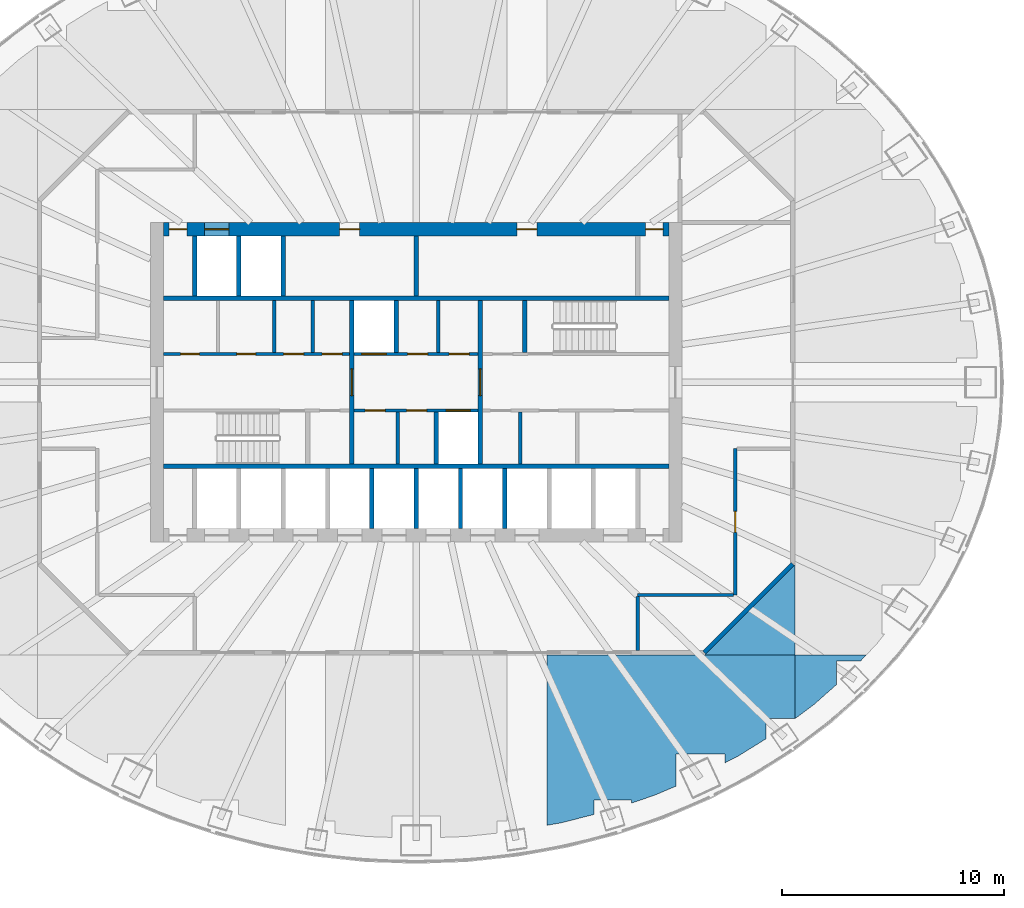
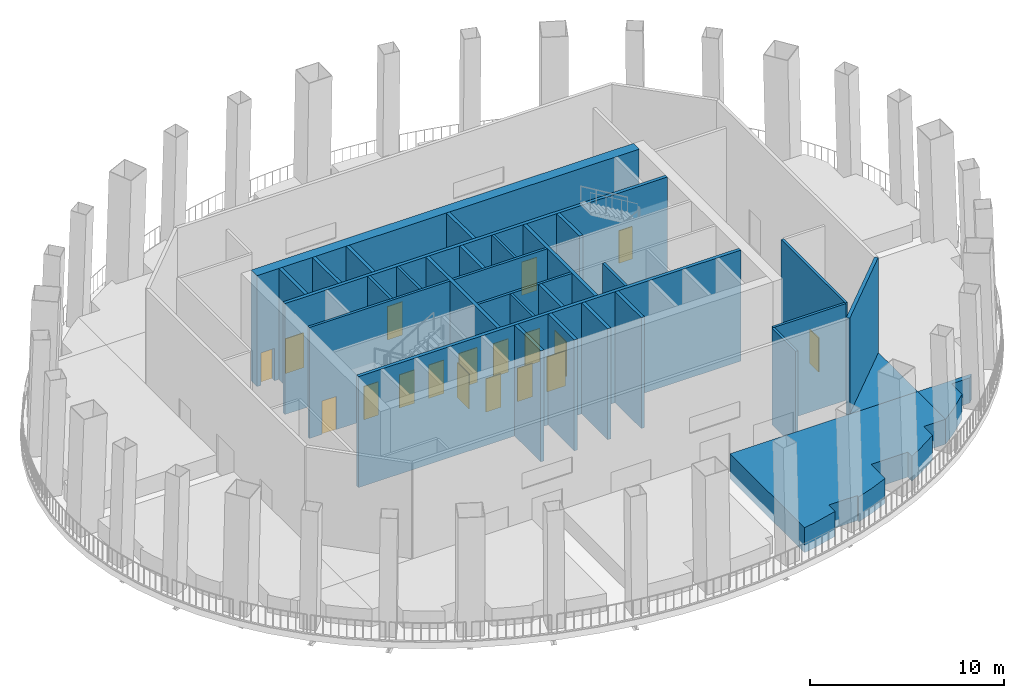
# One storey, part 5 of 13: 31 walls, 18 doors, 18 openings.
"""IFC4 building model written with IfcOpenShell, lengths in metres."""

from ifc_helpers import new_model, si_unit, direction, frame, frame_2d, origin, place, context, subcontext, project, spatial, polyline, rectangle, outline, extrude, material, layer, layer_set, type_object, element, fill, save


model = new_model("IFC4")

# Units and contexts
model_context = context("Model", 3, precision=1e-05, world=origin(), true_north=direction((0.0, 1.0)))
body_context = subcontext(model_context, "Body", "Model", "MODEL_VIEW")
ifc_project = project(units=[si_unit("LENGTHUNIT", "METRE"), si_unit("AREAUNIT", "SQUARE_METRE"), si_unit("VOLUMEUNIT", "CUBIC_METRE"), si_unit("PLANEANGLEUNIT", "RADIAN"), si_unit("MASSUNIT", "GRAM", prefix="KILO")], contexts=[model_context])

# Site, building, storey
site_placement = place(None, origin())
site = spatial("IfcSite", under=ifc_project, at=site_placement, CompositionType="ELEMENT")
building_placement = place(site_placement, origin())
building = spatial("IfcBuilding", under=site, at=building_placement, Name="Siaravel Broadcast Tower", CompositionType="ELEMENT")
storey_placement = place(building_placement, frame((0.0, 0.0, 85.199951171875)))
storey = spatial("IfcBuildingStorey", under=building, at=storey_placement, Name="L20", CompositionType="ELEMENT", Elevation=85.199951171875)

# Walls
ifc_material_1 = material(Name="Concrete blockwork", Category="masonry")
ifc_layer_1 = layer(ifc_material_1, 0.14990234375)
ifc_layer_set_1 = layer_set([ifc_layer_1], Name="Concrete blockwork")
wall_type_1 = type_object("IfcWallType", Name="Core partition 150", PredefinedType="PARTITIONING", material=ifc_layer_set_1)
for number, where, z_axis, x_axis, name in (
    (1, (-6.405029296875, 1.35009765625, 0.0), (0.0, 0.0, 1.0), (0.0, 1.0, 0.0), "L20 core partition PNW1"),
    (2, (-4.6650390625, 1.35009765625, 0.0), (0.0, 0.0, 1.0), (0.0, 1.0, 0.0), "L20 core partition PNW2"),
    (3, (4.695068359375, -3.699951171875, 0.0), (0.0, 0.0, 1.0), (0.0, 1.0, 0.0), "L20 core partition PSE0"),
    (4, (1.0, 1.35009765625, 0.0), (0.0, 0.0, 1.0), (0.0, 1.0, 0.0), "L20 core partition PNM0"),
    (5, (-0.827392578125, -3.699951171875, 0.0), (0.0, 0.0, 1.0), (0.0, 1.0, 0.0), "L20 core partition PSM0"),
):
    element("IfcWall", number, at=place(storey_placement, frame(where, z_axis=z_axis, x_axis=x_axis)), inside=storey, type_object=wall_type_1, Name=name, PredefinedType="PARTITIONING", context=body_context, shape_type="SweptSolid", body=[
        extrude(rectangle(XDim=2.349853515625, YDim=0.14990234375, at=frame_2d((1.1748046875, 0.0))), origin(), (0.0, 0.0, 1.0), 7.0),
    ])
ifc_layer_2 = layer(ifc_material_1, 0.199951171875)
ifc_layer_set_2 = layer_set([ifc_layer_2], Name="Concrete blockwork")
wall_type_2 = type_object("IfcWallType", Name="Core partition 200", PredefinedType="PARTITIONING", material=ifc_layer_set_2)
wall_1_placement = place(storey_placement, frame((0.0, 3.89990234375, 0.0), z_axis=(0.0, 0.0, 1.0), x_axis=(0.0, 1.0, 0.0)))
element("IfcWall", 6, at=wall_1_placement, inside=storey, type_object=wall_type_2, Name="L20 core partition PFN2", PredefinedType="PARTITIONING", context=body_context, shape_type="SweptSolid", body=[
    extrude(rectangle(XDim=2.7001953125, YDim=0.199951171875, at=frame_2d((1.35009765625, 0.0))), origin(), (0.0, 0.0, 1.0), 7.0),
])

# Wall, openings, doors
ifc_material_2 = material(Name="Concrete C60/75", Category="concrete")
ifc_layer_3 = layer(ifc_material_2, 0.60009765625)
ifc_layer_set_3 = layer_set([ifc_layer_3], Name="Concrete C60/75")
wall_type_3 = type_object("IfcWallType", Name="Core wall 600", PredefinedType="SHEAR", material=ifc_layer_set_3)
wall_2_placement = place(storey_placement, frame((-11.39990234375, 6.89990234375, 0.0), z_axis=(0.0, 0.0, 1.0), x_axis=(1.0, 0.0, 0.0)))
wall_2 = element("IfcWall", 7, at=wall_2_placement, inside=storey, type_object=wall_type_3, Name="L20 core wall ON", PredefinedType="SHEAR", context=body_context, shape_type="SweptSolid", body=[
    extrude(rectangle(XDim=22.7998046875, YDim=0.60009765625, at=frame_2d((11.39990234375, 0.0))), origin(), (0.0, 0.0, 1.0), 7.0),
])
opening_1_placement = place(wall_2_placement, frame((1.85009765625, 0.0, 0.0)))
opening_1 = element("IfcOpeningElement", 8, at=opening_1_placement, cuts=wall_2, Name="Opening LD-SV2-L20", PredefinedType="OPENING", context=body_context, shape_type="SweptSolid", body=[
    extrude(rectangle(XDim=1.10009765625, YDim=2.199951171875, at=frame_2d((0.550048828125, 1.10009765625))), frame((0.0, 0.31005859375, 0.0), z_axis=(0.0, -1.0, 0.0), x_axis=(1.0, 0.0, 0.0)), (0.0, 0.0, 1.0), 0.6201171875),
])
opening_2_placement = place(wall_2_placement, frame((7.949951171875, 0.0, 0.0)))
opening_2 = element("IfcOpeningElement", 9, at=opening_2_placement, cuts=wall_2, Name="Opening L20-DFN2", PredefinedType="OPENING", context=body_context, shape_type="SweptSolid", body=[
    extrude(rectangle(XDim=0.89990234375, YDim=2.10009765625, at=frame_2d((0.449951171875, 1.050048828125))), frame((0.0, 0.31005859375, 0.0), z_axis=(0.0, -1.0, 0.0), x_axis=(1.0, 0.0, 0.0)), (0.0, 0.0, 1.0), 0.6201171875),
])
opening_3_placement = place(wall_2_placement, frame((15.949951171875, 0.0, 0.0)))
opening_3 = element("IfcOpeningElement", 10, at=opening_3_placement, cuts=wall_2, Name="Opening L20-DFN5", PredefinedType="OPENING", context=body_context, shape_type="SweptSolid", body=[
    extrude(rectangle(XDim=0.89990234375, YDim=2.10009765625, at=frame_2d((0.449951171875, 1.050048828125))), frame((0.0, 0.31005859375, 0.0), z_axis=(0.0, -1.0, 0.0), x_axis=(1.0, 0.0, 0.0)), (0.0, 0.0, 1.0), 0.6201171875),
])
opening_4_placement = place(wall_2_placement, frame((0.25, 0.0, 0.0)))
opening_4 = element("IfcOpeningElement", 11, at=opening_4_placement, cuts=wall_2, Name="Opening L20-DRNW", PredefinedType="OPENING", context=body_context, shape_type="SweptSolid", body=[
    extrude(rectangle(XDim=0.800048828125, YDim=2.050048828125, at=frame_2d((0.39990234375, 1.02490234375))), frame((0.0, 0.31005859375, 0.0), z_axis=(0.0, -1.0, 0.0), x_axis=(1.0, 0.0, 0.0)), (0.0, 0.0, 1.0), 0.6201171875),
])
opening_5_placement = place(wall_2_placement, frame((21.75, 0.0, 0.0)))
opening_5 = element("IfcOpeningElement", 12, at=opening_5_placement, cuts=wall_2, Name="Opening L20-DRNE", PredefinedType="OPENING", context=body_context, shape_type="SweptSolid", body=[
    extrude(rectangle(XDim=0.800048828125, YDim=2.050048828125, at=frame_2d((0.39990234375, 1.02490234375))), frame((0.0, 0.31005859375, 0.0), z_axis=(0.0, -1.0, 0.0), x_axis=(1.0, 0.0, 0.0)), (0.0, 0.0, 1.0), 0.6201171875),
])
ifc_material_3 = material(Name="Timber veneer", Category="wood")
door_type_1 = type_object("IfcDoorType", Name="Core room door 900", OperationType="SINGLE_SWING_LEFT", PredefinedType="DOOR", material=ifc_material_3)
door_1_placement = place(opening_2_placement, origin())
door_1 = element("IfcDoor", 13, at=door_1_placement, inside=storey, type_object=door_type_1, Name="L20 door DFN2", OperationType="SINGLE_SWING_LEFT", OverallHeight=2.10009765625, OverallWidth=0.89990234375, PredefinedType="DOOR", context=body_context, shape_type="SweptSolid", body=[
    extrude(rectangle(XDim=0.89990234375, YDim=2.10009765625, at=frame_2d((0.449951171875, 1.050048828125))), frame((0.0, 0.02490234375, 0.0), z_axis=(0.0, -1.0, 0.0), x_axis=(1.0, 0.0, 0.0)), (0.0, 0.0, 1.0), 0.050048828125),
])
fill(opening_2, door_1)
door_2_placement = place(opening_3_placement, origin())
door_2 = element("IfcDoor", 14, at=door_2_placement, inside=storey, type_object=door_type_1, Name="L20 door DFN5", OperationType="SINGLE_SWING_LEFT", OverallHeight=2.10009765625, OverallWidth=0.89990234375, PredefinedType="DOOR", context=body_context, shape_type="SweptSolid", body=[
    extrude(rectangle(XDim=0.89990234375, YDim=2.10009765625, at=frame_2d((0.449951171875, 1.050048828125))), frame((0.0, 0.02490234375, 0.0), z_axis=(0.0, -1.0, 0.0), x_axis=(1.0, 0.0, 0.0)), (0.0, 0.0, 1.0), 0.050048828125),
])
fill(opening_3, door_2)
ifc_material_4 = material(Name="Steel", Category="steel")
door_type_2 = type_object("IfcDoorType", Name="Riser door 800", OperationType="SINGLE_SWING_LEFT", PredefinedType="DOOR", material=ifc_material_4)
door_3_placement = place(opening_4_placement, origin())
door_3 = element("IfcDoor", 15, at=door_3_placement, inside=storey, type_object=door_type_2, Name="L20 door DRNW", OperationType="SINGLE_SWING_LEFT", OverallHeight=2.050048828125, OverallWidth=0.800048828125, PredefinedType="DOOR", context=body_context, shape_type="SweptSolid", body=[
    extrude(rectangle(XDim=0.800048828125, YDim=2.050048828125, at=frame_2d((0.39990234375, 1.02490234375))), frame((0.0, 0.02490234375, 0.0), z_axis=(0.0, -1.0, 0.0), x_axis=(1.0, 0.0, 0.0)), (0.0, 0.0, 1.0), 0.050048828125),
])
fill(opening_4, door_3)
door_4_placement = place(opening_5_placement, origin())
door_4 = element("IfcDoor", 16, at=door_4_placement, inside=storey, type_object=door_type_2, Name="L20 door DRNE", OperationType="SINGLE_SWING_LEFT", OverallHeight=2.050048828125, OverallWidth=0.800048828125, PredefinedType="DOOR", context=body_context, shape_type="SweptSolid", body=[
    extrude(rectangle(XDim=0.800048828125, YDim=2.050048828125, at=frame_2d((0.39990234375, 1.02490234375))), frame((0.0, 0.02490234375, 0.0), z_axis=(0.0, -1.0, 0.0), x_axis=(1.0, 0.0, 0.0)), (0.0, 0.0, 1.0), 0.050048828125),
])
fill(opening_5, door_4)
ifc_material_5 = material(Name="Stainless steel 316L", Category="steel")
door_type_3 = type_object("IfcDoorType", Name="Service lift landing door 1100", OperationType="DOUBLE_DOOR_SLIDING", PredefinedType="DOOR", material=ifc_material_5)
door_5_placement = place(opening_1_placement, origin())
door_5 = element("IfcDoor", 17, at=door_5_placement, inside=storey, type_object=door_type_3, Name="Landing door SV2 L20", OperationType="DOUBLE_DOOR_SLIDING", OverallHeight=2.199951171875, OverallWidth=1.10009765625, PredefinedType="DOOR", context=body_context, shape_type="SweptSolid", body=[
    extrude(rectangle(XDim=1.10009765625, YDim=2.199951171875, at=frame_2d((0.550048828125, 1.10009765625))), frame((0.0, 0.02490234375, 0.0), z_axis=(0.0, -1.0, 0.0), x_axis=(1.0, 0.0, 0.0)), (0.0, 0.0, 1.0), 0.050048828125),
])
fill(opening_1, door_5)

ifc_material_6 = material(Name="Gypsum board partition", Category="gypsum")
ifc_layer_4 = layer(ifc_material_6, 0.14990234375)
ifc_layer_set_4 = layer_set([ifc_layer_4], Name="Gypsum board partition")
wall_type_4 = type_object("IfcWallType", Name="Corridor wall 150", PredefinedType="PARTITIONING", material=ifc_layer_set_4)
wall_3_placement = place(storey_placement, frame((-11.39990234375, 1.27490234375, 0.0), z_axis=(0.0, 0.0, 1.0), x_axis=(1.0, 0.0, 0.0)))
wall_3 = element("IfcWall", 18, at=wall_3_placement, inside=storey, type_object=wall_type_4, Name="L20 core partition CNW", PredefinedType="PARTITIONING", context=body_context, shape_type="SweptSolid", body=[
    extrude(rectangle(XDim=8.39990234375, YDim=0.14990234375, at=frame_2d((4.199951171875, 0.0))), origin(), (0.0, 0.0, 1.0), 7.0),
])
opening_6_placement = place(wall_3_placement, frame((0.767578125, 0.0, 0.0)))
opening_6 = element("IfcOpeningElement", 19, at=opening_6_placement, cuts=wall_3, Name="Opening L20-DNW0", PredefinedType="OPENING", context=body_context, shape_type="SweptSolid", body=[
    extrude(rectangle(XDim=0.85009765625, YDim=2.10009765625, at=frame_2d((0.425048828125, 1.050048828125))), frame((0.0, 0.0849609375, 0.0), z_axis=(0.0, -1.0, 0.0), x_axis=(1.0, 0.0, 0.0)), (0.0, 0.0, 1.0), 0.169921875),
])
opening_7_placement = place(wall_3_placement, frame((3.302490234375, 0.0, 0.0)))
opening_7 = element("IfcOpeningElement", 20, at=opening_7_placement, cuts=wall_3, Name="Opening L20-DNW1", PredefinedType="OPENING", context=body_context, shape_type="SweptSolid", body=[
    extrude(rectangle(XDim=0.85009765625, YDim=2.10009765625, at=frame_2d((0.425048828125, 1.050048828125))), frame((0.0, 0.0849609375, 0.0), z_axis=(0.0, -1.0, 0.0), x_axis=(1.0, 0.0, 0.0)), (0.0, 0.0, 1.0), 0.169921875),
])
opening_8_placement = place(wall_3_placement, frame((5.4150390625, 0.0, 0.0)))
opening_8 = element("IfcOpeningElement", 21, at=opening_8_placement, cuts=wall_3, Name="Opening L20-DNW2", PredefinedType="OPENING", context=body_context, shape_type="SweptSolid", body=[
    extrude(rectangle(XDim=0.89990234375, YDim=2.10009765625, at=frame_2d((0.449951171875, 1.050048828125))), frame((0.0, 0.0849609375, 0.0), z_axis=(0.0, -1.0, 0.0), x_axis=(1.0, 0.0, 0.0)), (0.0, 0.0, 1.0), 0.169921875),
])
opening_9_placement = place(wall_3_placement, frame((7.155029296875, 0.0, 0.0)))
opening_9 = element("IfcOpeningElement", 22, at=opening_9_placement, cuts=wall_3, Name="Opening L20-DNW3", PredefinedType="OPENING", context=body_context, shape_type="SweptSolid", body=[
    extrude(rectangle(XDim=0.89990234375, YDim=2.10009765625, at=frame_2d((0.449951171875, 1.050048828125))), frame((0.0, 0.0849609375, 0.0), z_axis=(0.0, -1.0, 0.0), x_axis=(1.0, 0.0, 0.0)), (0.0, 0.0, 1.0), 0.169921875),
])
door_6_placement = place(opening_8_placement, origin())
door_6 = element("IfcDoor", 23, at=door_6_placement, inside=storey, type_object=door_type_1, Name="L20 door DNW2", OperationType="SINGLE_SWING_LEFT", OverallHeight=2.10009765625, OverallWidth=0.89990234375, PredefinedType="DOOR", context=body_context, shape_type="SweptSolid", body=[
    extrude(rectangle(XDim=0.89990234375, YDim=2.10009765625, at=frame_2d((0.449951171875, 1.050048828125))), frame((0.0, 0.02490234375, 0.0), z_axis=(0.0, -1.0, 0.0), x_axis=(1.0, 0.0, 0.0)), (0.0, 0.0, 1.0), 0.050048828125),
])
fill(opening_8, door_6)
door_7_placement = place(opening_9_placement, origin())
door_7 = element("IfcDoor", 24, at=door_7_placement, inside=storey, type_object=door_type_1, Name="L20 door DNW3", OperationType="SINGLE_SWING_LEFT", OverallHeight=2.10009765625, OverallWidth=0.89990234375, PredefinedType="DOOR", context=body_context, shape_type="SweptSolid", body=[
    extrude(rectangle(XDim=0.89990234375, YDim=2.10009765625, at=frame_2d((0.449951171875, 1.050048828125))), frame((0.0, 0.02490234375, 0.0), z_axis=(0.0, -1.0, 0.0), x_axis=(1.0, 0.0, 0.0)), (0.0, 0.0, 1.0), 0.050048828125),
])
fill(opening_9, door_7)
door_type_4 = type_object("IfcDoorType", Name="Core toilet door 850", OperationType="SINGLE_SWING_LEFT", PredefinedType="DOOR", material=ifc_material_3)
door_8_placement = place(opening_6_placement, origin())
door_8 = element("IfcDoor", 25, at=door_8_placement, inside=storey, type_object=door_type_4, Name="L20 door DNW0", OperationType="SINGLE_SWING_LEFT", OverallHeight=2.10009765625, OverallWidth=0.85009765625, PredefinedType="DOOR", context=body_context, shape_type="SweptSolid", body=[
    extrude(rectangle(XDim=0.85009765625, YDim=2.10009765625, at=frame_2d((0.425048828125, 1.050048828125))), frame((0.0, 0.02490234375, 0.0), z_axis=(0.0, -1.0, 0.0), x_axis=(1.0, 0.0, 0.0)), (0.0, 0.0, 1.0), 0.050048828125),
])
fill(opening_6, door_8)
door_9_placement = place(opening_7_placement, origin())
door_9 = element("IfcDoor", 26, at=door_9_placement, inside=storey, type_object=door_type_4, Name="L20 door DNW1", OperationType="SINGLE_SWING_LEFT", OverallHeight=2.10009765625, OverallWidth=0.85009765625, PredefinedType="DOOR", context=body_context, shape_type="SweptSolid", body=[
    extrude(rectangle(XDim=0.85009765625, YDim=2.10009765625, at=frame_2d((0.425048828125, 1.050048828125))), frame((0.0, 0.02490234375, 0.0), z_axis=(0.0, -1.0, 0.0), x_axis=(1.0, 0.0, 0.0)), (0.0, 0.0, 1.0), 0.050048828125),
])
fill(opening_7, door_9)

# Wall, opening, door
wall_4_placement = place(storey_placement, frame((14.39990234375, -3.0, 0.0), z_axis=(0.0, 0.0, 1.0), x_axis=(0.0, -1.0, 0.0)))
wall_4 = element("IfcWall", 27, at=wall_4_placement, inside=storey, type_object=wall_type_4, Name="L20 partition 3", PredefinedType="PARTITIONING", context=body_context, shape_type="SweptSolid", body=[
    extrude(rectangle(XDim=6.60009765625, YDim=0.14990234375, at=frame_2d((3.300048828125, 0.0))), origin(), (0.0, 0.0, 1.0), 6.10009765625),
])
opening_10_placement = place(wall_4_placement, frame((2.824951171875, 0.0, 0.0)))
opening_10 = element("IfcOpeningElement", 28, at=opening_10_placement, cuts=wall_4, Name="Opening L20-002", PredefinedType="OPENING", context=body_context, shape_type="SweptSolid", body=[
    extrude(rectangle(XDim=0.949951171875, YDim=2.14990234375, at=frame_2d((0.47509765625, 1.074951171875))), frame((0.0, 0.0849609375, 0.0), z_axis=(0.0, -1.0, 0.0), x_axis=(1.0, 0.0, 0.0)), (0.0, 0.0, 1.0), 0.169921875),
])
door_type_5 = type_object("IfcDoorType", Name="Office door 950", OperationType="SINGLE_SWING_LEFT", PredefinedType="DOOR", material=ifc_material_3)
door_10_placement = place(opening_10_placement, origin())
door_10 = element("IfcDoor", 29, at=door_10_placement, inside=storey, type_object=door_type_5, Name="L20 door to Presenter studio", OperationType="SINGLE_SWING_RIGHT", OverallHeight=2.14990234375, OverallWidth=0.949951171875, PredefinedType="DOOR", context=body_context, shape_type="SweptSolid", body=[
    extrude(rectangle(XDim=0.949951171875, YDim=2.14990234375, at=frame_2d((0.47509765625, 1.074951171875))), frame((0.0, 0.02490234375, 0.0), z_axis=(0.0, -1.0, 0.0), x_axis=(1.0, 0.0, 0.0)), (0.0, 0.0, 1.0), 0.050048828125),
])
fill(opening_10, door_10)

# Walls
wall_5_placement = place(storey_placement, frame((14.322998046875, -9.60009765625, 0.0), z_axis=(0.0, 0.0, 1.0), x_axis=(-1.0, 0.0, 0.0)))
element("IfcWall", 30, at=wall_5_placement, inside=storey, type_object=wall_type_4, Name="L20 partition 8", PredefinedType="PARTITIONING", context=body_context, shape_type="SweptSolid", body=[
    extrude(rectangle(XDim=4.322998046875, YDim=0.14990234375, at=frame_2d((2.16162109375, 0.0))), origin(), (0.0, 0.0, 1.0), 6.10009765625),
])
wall_6_placement = place(storey_placement, frame((10.0, -9.677001953125, 0.0), z_axis=(0.0, 0.0, 1.0), x_axis=(0.0, -1.0, 0.0)))
element("IfcWall", 31, at=wall_6_placement, inside=storey, type_object=wall_type_4, Name="L20 partition 11", PredefinedType="PARTITIONING", context=body_context, shape_type="SweptSolid", body=[
    extrude(rectangle(XDim=2.423095703125, YDim=0.14990234375, at=frame_2d((1.21142578125, 0.0))), origin(), (0.0, 0.0, 1.0), 6.10009765625),
])
ifc_material_7 = material(Name="Concrete C40/50", Category="concrete")
ifc_layer_5 = layer(ifc_material_7, 1.0)
ifc_layer_set_5 = layer_set([ifc_layer_5], Name="Concrete C40/50")
wall_type_5 = type_object("IfcWallType", Name="Garden planter box", PredefinedType="ELEMENTEDWALL", material=ifc_layer_set_5)
wall_7_placement = place(storey_placement, frame((0.0, 0.0, -0.39990234375)))
element("IfcWall", 32, at=wall_7_placement, inside=storey, type_object=wall_type_5, Name="L20 garden planting bed 03", PredefinedType="ELEMENTEDWALL", context=body_context, shape_type="SweptSolid", body=[
    extrude(outline(polyline([(17.10009765625, -15.177490234375), (17.10009765625, -12.300048828125), (13.04150390625, -12.300048828125), (5.89990234375, -12.300048828125), (5.89990234375, -19.99951171875), (6.568603515625, -19.87939453125), (8.016845703125, -19.509033203125), (8.016845703125, -18.852783203125), (9.716796875, -18.852783203125), (9.716796875, -18.9912109375), (10.725830078125, -18.65234375), (11.726318359375, -18.22998046875), (11.726318359375, -16.770263671875), (13.926513671875, -16.770263671875), (13.926513671875, -17.184326171875), (14.556884765625, -16.858642578125), (15.790771484375, -16.091064453125), (15.790771484375, -15.177490234375), (17.10009765625, -15.177490234375)])), origin(), (0.0, 0.0, 1.0), 1.579833984375),
])
wall_8_placement = place(storey_placement, frame((0.0, 0.0, -0.39990234375)))
element("IfcWall", 33, at=wall_8_placement, inside=storey, type_object=wall_type_5, Name="L20 garden planting bed 05", PredefinedType="ELEMENTEDWALL", context=body_context, shape_type="SweptSolid", body=[
    extrude(outline(polyline([(20.32080078125, -12.300048828125), (17.10009765625, -12.300048828125), (17.10009765625, -15.177490234375), (17.10498046875, -15.177490234375), (17.94580078125, -14.552734375), (18.962890625, -13.652587890625), (18.962890625, -12.579345703125), (20.056396484375, -12.579345703125), (20.32080078125, -12.300048828125)])), origin(), (0.0, 0.0, 1.0), 1.579833984375),
])
wall_9_placement = place(storey_placement, frame((0.0, 0.0, -0.39990234375)))
element("IfcWall", 34, at=wall_9_placement, inside=storey, type_object=wall_type_5, Name="L20 garden planting bed 07", PredefinedType="ELEMENTEDWALL", context=body_context, shape_type="SweptSolid", body=[
    extrude(outline(polyline([(13.04150390625, -12.300048828125), (17.10009765625, -12.300048828125), (17.10009765625, -8.241455078125), (13.04150390625, -12.300048828125)])), origin(), (0.0, 0.0, 1.0), 1.579833984375),
])

# Wall, openings, doors
ifc_layer_6 = layer(ifc_material_2, 0.14990234375)
ifc_layer_set_6 = layer_set([ifc_layer_6], Name="Concrete C60/75")
wall_type_6 = type_object("IfcWallType", Name="Shaft wall 150", PredefinedType="SHEAR", material=ifc_layer_set_6)
wall_10_placement = place(storey_placement, frame((-2.800048828125, -1.27490234375, 0.0), z_axis=(0.0, 0.0, 1.0), x_axis=(1.0, 0.0, 0.0)))
wall_10 = element("IfcWall", 35, at=wall_10_placement, inside=storey, type_object=wall_type_6, Name="L20 core wall CSM", PredefinedType="SHEAR", context=body_context, shape_type="SweptSolid", body=[
    extrude(rectangle(XDim=5.60009765625, YDim=0.14990234375, at=frame_2d((2.800048828125, 0.0))), origin(), (0.0, 0.0, 1.0), 7.0),
])
opening_11_placement = place(wall_10_placement, frame((4.14990234375, 0.0, 0.0)))
opening_11 = element("IfcOpeningElement", 36, at=opening_11_placement, cuts=wall_10, Name="Opening LD-FL2-L20", PredefinedType="OPENING", context=body_context, shape_type="SweptSolid", body=[
    extrude(rectangle(XDim=1.10009765625, YDim=2.199951171875, at=frame_2d((0.550048828125, 1.10009765625))), frame((0.0, 0.0849609375, 0.0), z_axis=(0.0, -1.0, 0.0), x_axis=(1.0, 0.0, 0.0)), (0.0, 0.0, 1.0), 0.169921875),
])
opening_12_placement = place(wall_10_placement, frame((0.498779296875, 0.0, 0.0)))
opening_12 = element("IfcOpeningElement", 37, at=opening_12_placement, cuts=wall_10, Name="Opening L20-DSM0", PredefinedType="OPENING", context=body_context, shape_type="SweptSolid", body=[
    extrude(rectangle(XDim=0.89990234375, YDim=2.10009765625, at=frame_2d((0.449951171875, 1.050048828125))), frame((0.0, 0.0849609375, 0.0), z_axis=(0.0, -1.0, 0.0), x_axis=(1.0, 0.0, 0.0)), (0.0, 0.0, 1.0), 0.169921875),
])
opening_13_placement = place(wall_10_placement, frame((2.373779296875, 0.0, 0.0)))
opening_13 = element("IfcOpeningElement", 38, at=opening_13_placement, cuts=wall_10, Name="Opening L20-DSM1", PredefinedType="OPENING", context=body_context, shape_type="SweptSolid", body=[
    extrude(rectangle(XDim=0.89990234375, YDim=2.10009765625, at=frame_2d((0.449951171875, 1.050048828125))), frame((0.0, 0.0849609375, 0.0), z_axis=(0.0, -1.0, 0.0), x_axis=(1.0, 0.0, 0.0)), (0.0, 0.0, 1.0), 0.169921875),
])
door_11_placement = place(opening_12_placement, origin())
door_11 = element("IfcDoor", 39, at=door_11_placement, inside=storey, type_object=door_type_1, Name="L20 door DSM0", OperationType="SINGLE_SWING_LEFT", OverallHeight=2.10009765625, OverallWidth=0.89990234375, PredefinedType="DOOR", context=body_context, shape_type="SweptSolid", body=[
    extrude(rectangle(XDim=0.89990234375, YDim=2.10009765625, at=frame_2d((0.449951171875, 1.050048828125))), frame((0.0, 0.02490234375, 0.0), z_axis=(0.0, -1.0, 0.0), x_axis=(1.0, 0.0, 0.0)), (0.0, 0.0, 1.0), 0.050048828125),
])
fill(opening_12, door_11)
door_12_placement = place(opening_13_placement, origin())
door_12 = element("IfcDoor", 40, at=door_12_placement, inside=storey, type_object=door_type_1, Name="L20 door DSM1", OperationType="SINGLE_SWING_LEFT", OverallHeight=2.10009765625, OverallWidth=0.89990234375, PredefinedType="DOOR", context=body_context, shape_type="SweptSolid", body=[
    extrude(rectangle(XDim=0.89990234375, YDim=2.10009765625, at=frame_2d((0.449951171875, 1.050048828125))), frame((0.0, 0.02490234375, 0.0), z_axis=(0.0, -1.0, 0.0), x_axis=(1.0, 0.0, 0.0)), (0.0, 0.0, 1.0), 0.050048828125),
])
fill(opening_13, door_12)
door_type_6 = type_object("IfcDoorType", Name="Firefighting lift landing door 1100", OperationType="DOUBLE_DOOR_SLIDING", PredefinedType="DOOR", material=ifc_material_5)
door_13_placement = place(opening_11_placement, origin())
door_13 = element("IfcDoor", 41, at=door_13_placement, inside=storey, type_object=door_type_6, Name="Landing door FL2 L20", OperationType="DOUBLE_DOOR_SLIDING", OverallHeight=2.199951171875, OverallWidth=1.10009765625, PredefinedType="DOOR", context=body_context, shape_type="SweptSolid", body=[
    extrude(rectangle(XDim=1.10009765625, YDim=2.199951171875, at=frame_2d((0.550048828125, 1.10009765625))), frame((0.0, 0.02490234375, 0.0), z_axis=(0.0, -1.0, 0.0), x_axis=(1.0, 0.0, 0.0)), (0.0, 0.0, 1.0), 0.050048828125),
])
fill(opening_11, door_13)

wall_11_placement = place(storey_placement, frame((-2.800048828125, 1.27490234375, 0.0), z_axis=(0.0, 0.0, 1.0), x_axis=(1.0, 0.0, 0.0)))
wall_11 = element("IfcWall", 42, at=wall_11_placement, inside=storey, type_object=wall_type_6, Name="L20 core wall CNM", PredefinedType="SHEAR", context=body_context, shape_type="SweptSolid", body=[
    extrude(rectangle(XDim=5.60009765625, YDim=0.14990234375, at=frame_2d((2.800048828125, 0.0))), origin(), (0.0, 0.0, 1.0), 7.0),
])
opening_14_placement = place(wall_11_placement, frame((0.35009765625, 0.0, 0.0)))
opening_14 = element("IfcOpeningElement", 43, at=opening_14_placement, cuts=wall_11, Name="Opening LD-FL1-L20", PredefinedType="OPENING", context=body_context, shape_type="SweptSolid", body=[
    extrude(rectangle(XDim=1.10009765625, YDim=2.199951171875, at=frame_2d((0.550048828125, 1.10009765625))), frame((0.0, 0.0849609375, 0.0), z_axis=(0.0, -1.0, 0.0), x_axis=(1.0, 0.0, 0.0)), (0.0, 0.0, 1.0), 0.169921875),
])
opening_15_placement = place(wall_11_placement, frame((2.41259765625, 0.0, 0.0)))
opening_15 = element("IfcOpeningElement", 44, at=opening_15_placement, cuts=wall_11, Name="Opening L20-DNM0", PredefinedType="OPENING", context=body_context, shape_type="SweptSolid", body=[
    extrude(rectangle(XDim=0.89990234375, YDim=2.10009765625, at=frame_2d((0.449951171875, 1.050048828125))), frame((0.0, 0.0849609375, 0.0), z_axis=(0.0, -1.0, 0.0), x_axis=(1.0, 0.0, 0.0)), (0.0, 0.0, 1.0), 0.169921875),
])
opening_16_placement = place(wall_11_placement, frame((4.28759765625, 0.0, 0.0)))
opening_16 = element("IfcOpeningElement", 45, at=opening_16_placement, cuts=wall_11, Name="Opening L20-DNM1", PredefinedType="OPENING", context=body_context, shape_type="SweptSolid", body=[
    extrude(rectangle(XDim=0.89990234375, YDim=2.10009765625, at=frame_2d((0.449951171875, 1.050048828125))), frame((0.0, 0.0849609375, 0.0), z_axis=(0.0, -1.0, 0.0), x_axis=(1.0, 0.0, 0.0)), (0.0, 0.0, 1.0), 0.169921875),
])
door_14_placement = place(opening_15_placement, origin())
door_14 = element("IfcDoor", 46, at=door_14_placement, inside=storey, type_object=door_type_1, Name="L20 door DNM0", OperationType="SINGLE_SWING_LEFT", OverallHeight=2.10009765625, OverallWidth=0.89990234375, PredefinedType="DOOR", context=body_context, shape_type="SweptSolid", body=[
    extrude(rectangle(XDim=0.89990234375, YDim=2.10009765625, at=frame_2d((0.449951171875, 1.050048828125))), frame((0.0, 0.02490234375, 0.0), z_axis=(0.0, -1.0, 0.0), x_axis=(1.0, 0.0, 0.0)), (0.0, 0.0, 1.0), 0.050048828125),
])
fill(opening_15, door_14)
door_15_placement = place(opening_16_placement, origin())
door_15 = element("IfcDoor", 47, at=door_15_placement, inside=storey, type_object=door_type_1, Name="L20 door DNM1", OperationType="SINGLE_SWING_LEFT", OverallHeight=2.10009765625, OverallWidth=0.89990234375, PredefinedType="DOOR", context=body_context, shape_type="SweptSolid", body=[
    extrude(rectangle(XDim=0.89990234375, YDim=2.10009765625, at=frame_2d((0.449951171875, 1.050048828125))), frame((0.0, 0.02490234375, 0.0), z_axis=(0.0, -1.0, 0.0), x_axis=(1.0, 0.0, 0.0)), (0.0, 0.0, 1.0), 0.050048828125),
])
fill(opening_16, door_15)
door_16_placement = place(opening_14_placement, origin())
door_16 = element("IfcDoor", 48, at=door_16_placement, inside=storey, type_object=door_type_6, Name="Landing door FL1 L20", OperationType="DOUBLE_DOOR_SLIDING", OverallHeight=2.199951171875, OverallWidth=1.10009765625, PredefinedType="DOOR", context=body_context, shape_type="SweptSolid", body=[
    extrude(rectangle(XDim=1.10009765625, YDim=2.199951171875, at=frame_2d((0.550048828125, 1.10009765625))), frame((0.0, 0.02490234375, 0.0), z_axis=(0.0, -1.0, 0.0), x_axis=(1.0, 0.0, 0.0)), (0.0, 0.0, 1.0), 0.050048828125),
])
fill(opening_14, door_16)

# Walls
ifc_layer_7 = layer(ifc_material_2, 0.199951171875)
ifc_layer_set_7 = layer_set([ifc_layer_7], Name="Concrete C60/75")
wall_type_7 = type_object("IfcWallType", Name="Shaft wall 200", PredefinedType="SHEAR", material=ifc_layer_set_7)
for number, where, z_axis, x_axis, name in (
    (49, (-11.39990234375, -3.800048828125, 0.0), (0.0, 0.0, 1.0), (1.0, 0.0, 0.0), "L20 core wall BS"),
    (50, (-11.39990234375, 3.800048828125, 0.0), (0.0, 0.0, 1.0), (1.0, 0.0, 0.0), "L20 core wall BN"),
):
    element("IfcWall", number, at=place(storey_placement, frame(where, z_axis=z_axis, x_axis=x_axis)), inside=storey, type_object=wall_type_7, Name=name, PredefinedType="SHEAR", context=body_context, shape_type="SweptSolid", body=[
        extrude(rectangle(XDim=22.7998046875, YDim=0.199951171875, at=frame_2d((11.39990234375, 0.0))), origin(), (0.0, 0.0, 1.0), 7.0),
    ])
for number, where, z_axis, x_axis, name in (
    (51, (-2.0, -6.60009765625, 0.0), (0.0, 0.0, 1.0), (0.0, 1.0, 0.0), "L20 core wall SWS4"),
    (52, (0.0, -6.60009765625, 0.0), (0.0, 0.0, 1.0), (0.0, 1.0, 0.0), "L20 core wall SWS5"),
    (53, (2.0, -6.60009765625, 0.0), (0.0, 0.0, 1.0), (0.0, 1.0, 0.0), "L20 core wall SWS6"),
    (54, (4.0, -6.60009765625, 0.0), (0.0, 0.0, 1.0), (0.0, 1.0, 0.0), "L20 core wall SWS7"),
    (55, (-10.0, 3.89990234375, 0.0), (0.0, 0.0, 1.0), (0.0, 1.0, 0.0), "L20 core wall SWN0"),
    (56, (-8.0, 3.89990234375, 0.0), (0.0, 0.0, 1.0), (0.0, 1.0, 0.0), "L20 core wall SWN1"),
    (57, (-6.0, 3.89990234375, 0.0), (0.0, 0.0, 1.0), (0.0, 1.0, 0.0), "L20 core wall SWN2"),
):
    element("IfcWall", number, at=place(storey_placement, frame(where, z_axis=z_axis, x_axis=x_axis)), inside=storey, type_object=wall_type_7, Name=name, PredefinedType="SHEAR", context=body_context, shape_type="SweptSolid", body=[
        extrude(rectangle(XDim=2.7001953125, YDim=0.199951171875, at=frame_2d((1.35009765625, 0.0))), origin(), (0.0, 0.0, 1.0), 7.0),
    ])

# Wall, opening, door
wall_12_placement = place(storey_placement, frame((-2.89990234375, -3.699951171875, 0.0), z_axis=(0.0, 0.0, 1.0), x_axis=(0.0, 1.0, 0.0)))
wall_12 = element("IfcWall", 58, at=wall_12_placement, inside=storey, type_object=wall_type_7, Name="L20 core wall LW", PredefinedType="SHEAR", context=body_context, shape_type="SweptSolid", body=[
    extrude(rectangle(XDim=7.39990234375, YDim=0.199951171875, at=frame_2d((3.699951171875, 0.0))), origin(), (0.0, 0.0, 1.0), 7.0),
])
opening_17_placement = place(wall_12_placement, frame((3.10009765625, 0.0, 0.0)))
opening_17 = element("IfcOpeningElement", 59, at=opening_17_placement, cuts=wall_12, Name="Opening L20-DL-W", PredefinedType="OPENING", context=body_context, shape_type="SweptSolid", body=[
    extrude(rectangle(XDim=1.199951171875, YDim=2.199951171875, at=frame_2d((0.60009765625, 1.10009765625))), frame((0.0, 0.10986328125, 0.0), z_axis=(0.0, -1.0, 0.0), x_axis=(1.0, 0.0, 0.0)), (0.0, 0.0, 1.0), 0.219970703125),
])
door_type_7 = type_object("IfcDoorType", Name="Firefighting lobby door 1200", OperationType="SINGLE_SWING_LEFT", PredefinedType="DOOR", material=ifc_material_4)
door_17_placement = place(opening_17_placement, origin())
door_17 = element("IfcDoor", 60, at=door_17_placement, inside=storey, type_object=door_type_7, Name="L20 door DL-W", OperationType="SINGLE_SWING_LEFT", OverallHeight=2.199951171875, OverallWidth=1.199951171875, PredefinedType="DOOR", context=body_context, shape_type="SweptSolid", body=[
    extrude(rectangle(XDim=1.199951171875, YDim=2.199951171875, at=frame_2d((0.60009765625, 1.10009765625))), frame((0.0, 0.02490234375, 0.0), z_axis=(0.0, -1.0, 0.0), x_axis=(1.0, 0.0, 0.0)), (0.0, 0.0, 1.0), 0.050048828125),
])
fill(opening_17, door_17)

wall_13_placement = place(storey_placement, frame((2.89990234375, -3.699951171875, 0.0), z_axis=(0.0, 0.0, 1.0), x_axis=(0.0, 1.0, 0.0)))
wall_13 = element("IfcWall", 61, at=wall_13_placement, inside=storey, type_object=wall_type_7, Name="L20 core wall LE", PredefinedType="SHEAR", context=body_context, shape_type="SweptSolid", body=[
    extrude(rectangle(XDim=7.39990234375, YDim=0.199951171875, at=frame_2d((3.699951171875, 0.0))), origin(), (0.0, 0.0, 1.0), 7.0),
])
opening_18_placement = place(wall_13_placement, frame((3.10009765625, 0.0, 0.0)))
opening_18 = element("IfcOpeningElement", 62, at=opening_18_placement, cuts=wall_13, Name="Opening L20-DL-E", PredefinedType="OPENING", context=body_context, shape_type="SweptSolid", body=[
    extrude(rectangle(XDim=1.199951171875, YDim=2.199951171875, at=frame_2d((0.60009765625, 1.10009765625))), frame((0.0, 0.10986328125, 0.0), z_axis=(0.0, -1.0, 0.0), x_axis=(1.0, 0.0, 0.0)), (0.0, 0.0, 1.0), 0.219970703125),
])
door_18_placement = place(opening_18_placement, origin())
door_18 = element("IfcDoor", 63, at=door_18_placement, inside=storey, type_object=door_type_7, Name="L20 door DL-E", OperationType="SINGLE_SWING_LEFT", OverallHeight=2.199951171875, OverallWidth=1.199951171875, PredefinedType="DOOR", context=body_context, shape_type="SweptSolid", body=[
    extrude(rectangle(XDim=1.199951171875, YDim=2.199951171875, at=frame_2d((0.60009765625, 1.10009765625))), frame((0.0, 0.02490234375, 0.0), z_axis=(0.0, -1.0, 0.0), x_axis=(1.0, 0.0, 0.0)), (0.0, 0.0, 1.0), 0.050048828125),
])
fill(opening_18, door_18)

# Walls
for number, where, z_axis, x_axis, name in (
    (64, (-0.89990234375, 1.35009765625, 0.0), (0.0, 0.0, 1.0), (0.0, 1.0, 0.0), "L20 core wall FF1E"),
    (65, (0.89990234375, -3.699951171875, 0.0), (0.0, 0.0, 1.0), (0.0, 1.0, 0.0), "L20 core wall FF2W"),
    (66, (4.89990234375, 1.35009765625, 0.0), (0.0, 0.0, 1.0), (0.0, 1.0, 0.0), "L20 core wall ST2W"),
):
    element("IfcWall", number, at=place(storey_placement, frame(where, z_axis=z_axis, x_axis=x_axis)), inside=storey, type_object=wall_type_7, Name=name, PredefinedType="SHEAR", context=body_context, shape_type="SweptSolid", body=[
        extrude(rectangle(XDim=2.349853515625, YDim=0.199951171875, at=frame_2d((1.1748046875, 0.0))), origin(), (0.0, 0.0, 1.0), 7.0),
    ])
ifc_layer_8 = layer(ifc_material_7, 0.199951171875)
ifc_layer_set_8 = layer_set([ifc_layer_8], Name="Concrete C40/50")
wall_type_8 = type_object("IfcWallType", Name="Sky lobby enclosure wall", PredefinedType="STANDARD", material=ifc_layer_set_8)
wall_14_placement = place(storey_placement, frame((17.0, -8.199951171875, 0.080078125), z_axis=(0.0, 0.0, 1.0), x_axis=(-0.707106781, -0.707106781, 0.0)))
element("IfcWall", 67, at=wall_14_placement, inside=storey, type_object=wall_type_8, Name="L20 sky lobby enclosure wall SE", PredefinedType="STANDARD", context=body_context, shape_type="SweptSolid", body=[
    extrude(rectangle(XDim=5.65673828125, YDim=0.199951171875, at=frame_2d((2.828369140625, 0.0))), origin(), (0.0, 0.0, 1.0), 7.119873046875),
])

save(model, "model.ifc")
